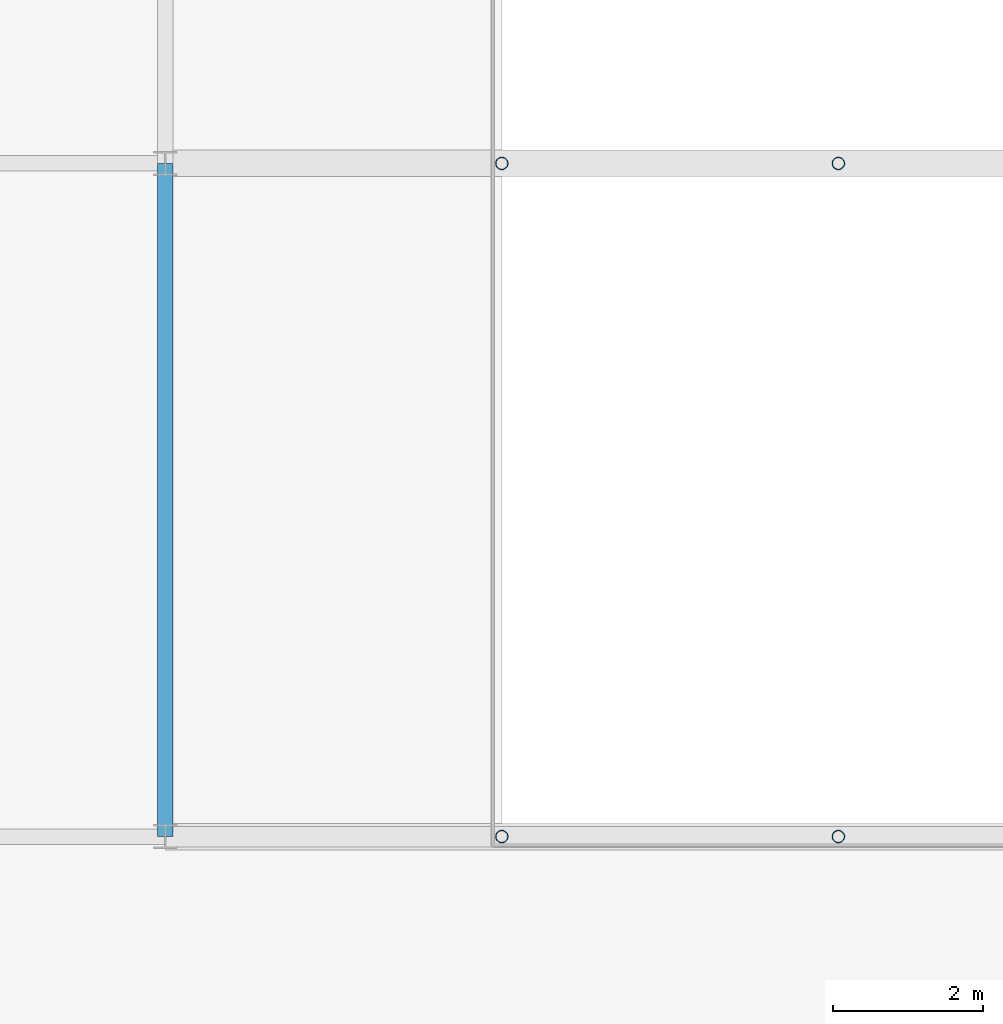
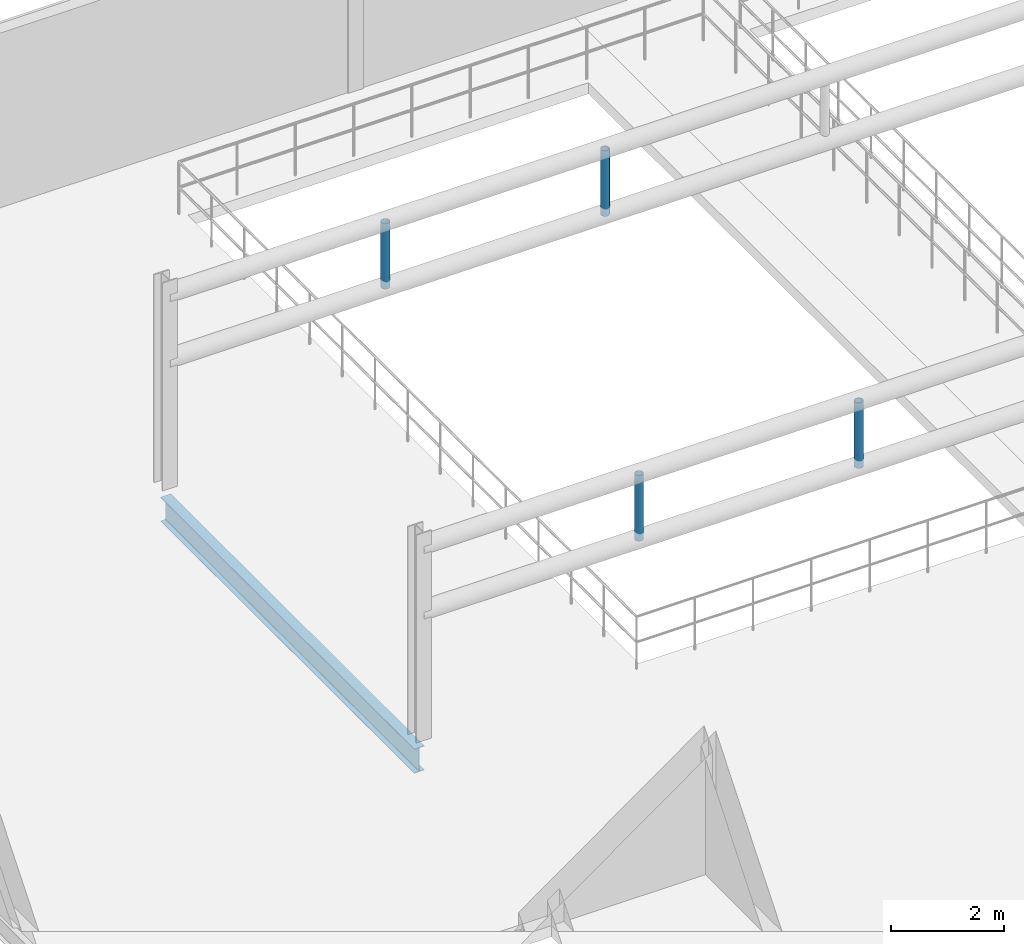
# One storey, part 37 of 140: 4 members, 1 beam.
"""IFC4 building model written with IfcOpenShell, lengths in metres."""

from ifc_helpers import new_model, si_unit, direction, frame, origin, origin_2d, place, context, subcontext, project, spatial, hollow_circle, i_section, extrude, material, material_profile, profile_set, type_object, element, save


model = new_model("IFC4")

# Units and contexts
model_context = context("Model", 3, precision=1e-05, world=origin(), true_north=direction((0.0, 1.0)))
body_context = subcontext(model_context, "Body", "Model", "MODEL_VIEW")
ifc_project = project(units=[si_unit("LENGTHUNIT", "METRE"), si_unit("AREAUNIT", "SQUARE_METRE"), si_unit("VOLUMEUNIT", "CUBIC_METRE"), si_unit("PLANEANGLEUNIT", "RADIAN"), si_unit("MASSUNIT", "GRAM", prefix="KILO"), si_unit("THERMODYNAMICTEMPERATUREUNIT", "KELVIN"), si_unit("POWERUNIT", "WATT")], contexts=[model_context])

# Site, building, storey
site_placement = place(None, origin())
site = spatial("IfcSite", under=ifc_project, at=site_placement, CompositionType="ELEMENT")
building_placement = place(site_placement, origin())
building = spatial("IfcBuilding", under=site, at=building_placement, Name="Tallowbark Science Centre", CompositionType="ELEMENT")
storey_placement = place(building_placement, frame((0.0, 0.0, 9.89990234375)))
storey = spatial("IfcBuildingStorey", under=building, at=storey_placement, Name="L02", CompositionType="ELEMENT", Elevation=9.89990234375)

# Beam
ifc_material_1 = material(Name="Structural Steel Grade 300PLUS (300 MPa)", Category="steel")
ifc_material_profile_1 = material_profile(ifc_material_1, i_section(OverallWidth=0.208740234375, OverallDepth=0.5283203125, WebThickness=0.009521484375, FlangeThickness=0.01318359375, FilletRadius=0.013916015625, at=origin_2d()), Name="530UB82.0")
ifc_profile_set_1 = profile_set([ifc_material_profile_1], Name="Structural Steel Grade 300PLUS (300 MPa)")
beam_type = type_object("IfcBeamType", Name="BM-UB530B", PredefinedType="BEAM", material=ifc_profile_set_1)
beam_placement = place(storey_placement, frame((121.5, 18.0, -0.509033203125), z_axis=(0.0, 1.0, 0.0), x_axis=(-1.0, 0.0, 0.0)))
element("IfcBeam", 1, at=beam_placement, inside=storey, type_object=beam_type, Name="Primary Girder GRDY-L02-1215-180-270", PredefinedType="BEAM", context=body_context, shape_type="SweptSolid", body=[
    extrude(i_section(OverallWidth=0.208740234375, OverallDepth=0.5283203125, WebThickness=0.009521484375, FlangeThickness=0.01318359375, FilletRadius=0.013916015625, at=origin_2d()), origin(), (0.0, 0.0, 1.0), 9.0),
])

# Members
ifc_material_2 = material(Name="White Architectural Painted Steel Grade C350L0 (350 MPa)", Category="steel")
ifc_material_profile_2 = material_profile(ifc_material_2, hollow_circle(Radius=0.084228515625, WallThickness=0.007080078125, at=origin_2d()), Name="168.3x7.1CHS")
ifc_profile_set_2 = profile_set([ifc_material_profile_2], Name="White Architectural Painted Steel Grade C350L0 (350 MPa)")
member_type = type_object("IfcMemberType", Name="TR-WEB168", PredefinedType="BRACE", material=ifc_profile_set_2)
for number, where, z_axis, x_axis, name in (
    (2, (126.0, 18.0, 2.7001953125), (0.0, 0.0, 1.0), (1.0, 0.0, 0.0), "Theatre Truss Web 1-126"),
    (3, (130.5, 18.0, 2.7001953125), (0.0, 0.0, 1.0), (1.0, 0.0, 0.0), "Theatre Truss Web 1-130.5"),
    (4, (126.0, 27.0, 2.7001953125), (0.0, 0.0, 1.0), (1.0, 0.0, 0.0), "Theatre Truss Web 2-126"),
    (5, (130.5, 27.0, 2.7001953125), (0.0, 0.0, 1.0), (1.0, 0.0, 0.0), "Theatre Truss Web 2-130.5"),
):
    element("IfcMember", number, at=place(storey_placement, frame(where, z_axis=z_axis, x_axis=x_axis)), inside=storey, type_object=member_type, Name=name, PredefinedType="BRACE", context=body_context, shape_type="SweptSolid", body=[
        extrude(hollow_circle(Radius=0.084228515625, WallThickness=0.007080078125, at=origin_2d()), origin(), (0.0, 0.0, 1.0), 1.419921875),
    ])

save(model, "model.ifc")
